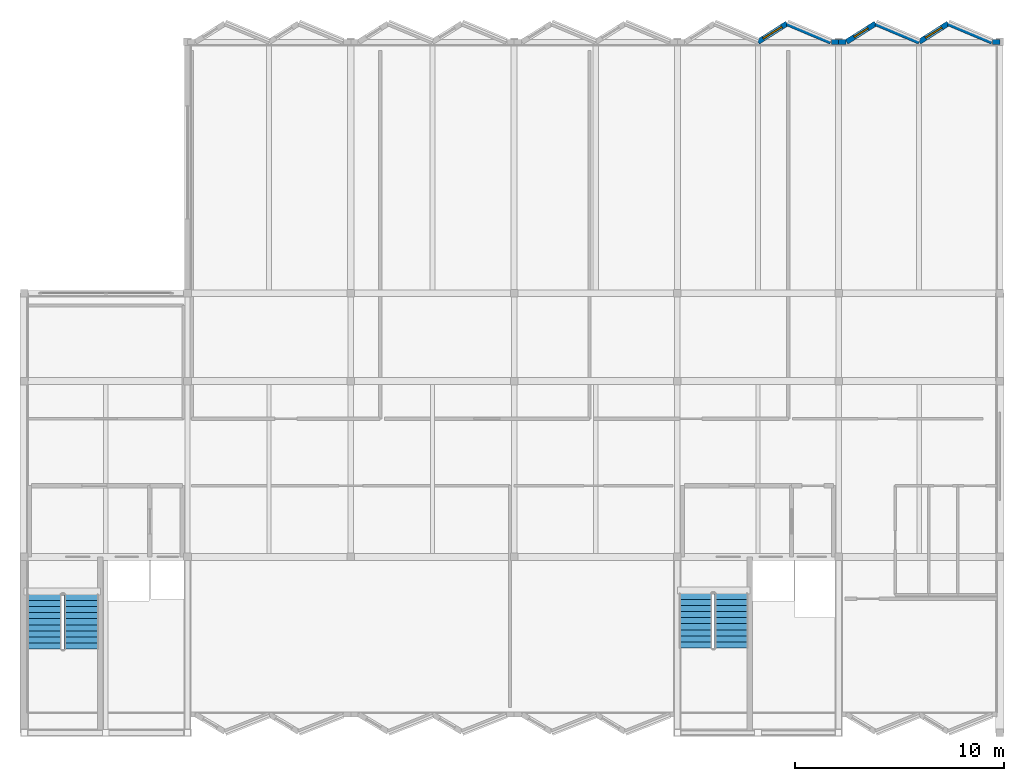
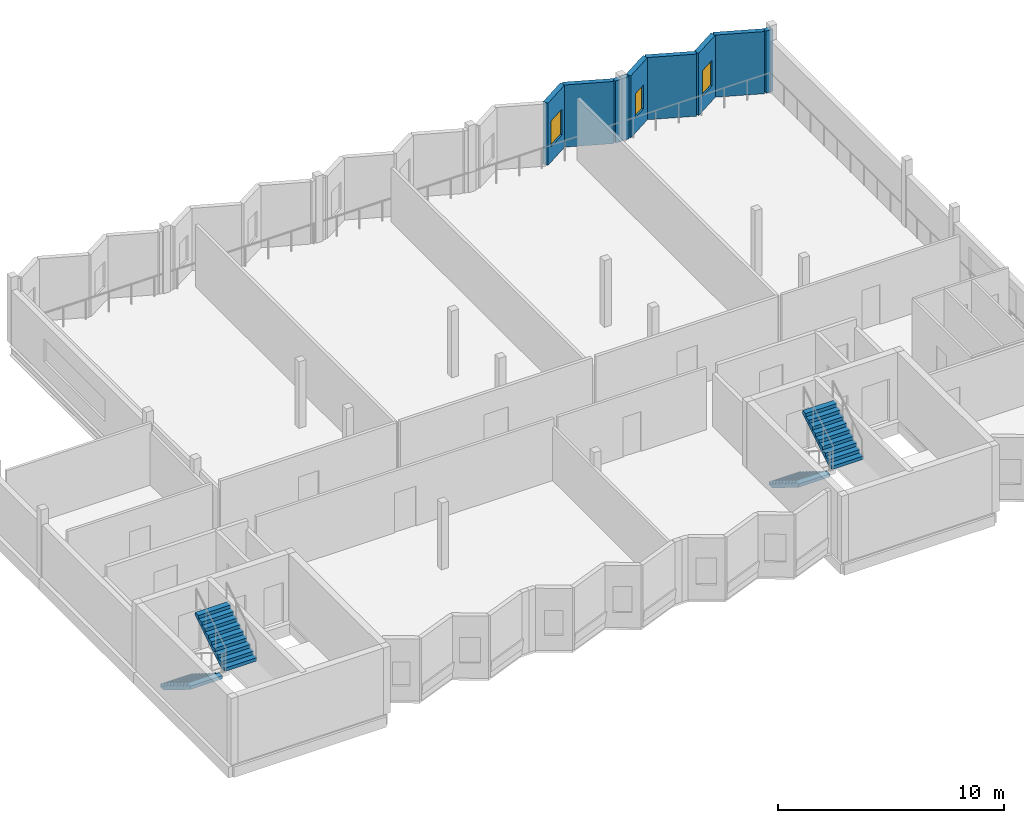
# One storey, part 7 of 11: 9 walls, 4 stair flights, 3 windows, 3 openings, 2 elements without a shape of their own.
"""IFC4 building model written with IfcOpenShell, lengths in metres."""

from ifc_helpers import new_model, si_unit, direction, frame, frame_2d, origin, place, context, subcontext, project, spatial, polyline, rectangle, outline, extrude, material, layer, layer_set, type_object, element, fill, aggregate, save


model = new_model("IFC4")

# Units and contexts
model_context = context("Model", 3, precision=1e-05, world=origin(), true_north=direction((0.0, 1.0)))
body_context = subcontext(model_context, "Body", "Model", "MODEL_VIEW")
ifc_project = project(units=[si_unit("LENGTHUNIT", "METRE"), si_unit("AREAUNIT", "SQUARE_METRE"), si_unit("VOLUMEUNIT", "CUBIC_METRE"), si_unit("PLANEANGLEUNIT", "RADIAN"), si_unit("MASSUNIT", "GRAM", prefix="KILO")], contexts=[model_context])

# Site, building, storey
site_placement = place(None, origin())
site = spatial("IfcSite", under=ifc_project, at=site_placement, CompositionType="ELEMENT")
building_placement = place(site_placement, origin())
building = spatial("IfcBuilding", under=site, at=building_placement, Name="Vharandega Faculty of Natural Sciences", CompositionType="ELEMENT")
storey_placement = place(building_placement, frame((0.0, 0.0, 39.60009765625)))
storey = spatial("IfcBuildingStorey", under=building, at=storey_placement, Name="L10", CompositionType="ELEMENT", Elevation=39.60009765625)

# Wall, opening, window
ifc_material_1 = material(Name="Precast concrete C40/50", Category="concrete")
ifc_layer_1 = layer(ifc_material_1, 0.25, Name="Precast concrete C40/50")
ifc_layer_set_1 = layer_set([ifc_layer_1], Name="Precast concrete C40/50")
wall_type_1 = type_object("IfcWallType", Name="Sawtooth Glazed-Face Precast Wall 250", PredefinedType="SOLIDWALL", material=ifc_layer_set_1)
wall_1_placement = place(storey_placement, frame((149.85009765625, 97.0, 0.0), z_axis=(0.0, 0.0, 1.0), x_axis=(0.844583954912, 0.535423143976, 0.0)))
wall_1 = element("IfcWall", 1, at=wall_1_placement, inside=storey, type_object=wall_type_1, Name="Exterior Wall EW-SAW-L10-N08G", PredefinedType="SOLIDWALL", context=body_context, shape_type="SweptSolid", body=[
    extrude(rectangle(XDim=1.643310546875, YDim=0.25, at=frame_2d((0.82177734375, 0.0))), origin(), (0.0, 0.0, 1.0), 3.35986328125),
])
opening_1_placement = place(wall_1_placement, frame((0.296630859375, 0.0, 0.820068359375)))
opening_1 = element("IfcOpeningElement", 2, at=opening_1_placement, cuts=wall_1, Name="Opening WN-06", PredefinedType="OPENING", context=body_context, shape_type="SweptSolid", body=[
    extrude(rectangle(XDim=1.050048828125, YDim=1.39990234375, at=frame_2d((0.52490234375, 0.699951171875))), frame((0.0, 0.135009765625, 0.0), z_axis=(0.0, -1.0, 0.0), x_axis=(1.0, 0.0, 0.0)), (0.0, 0.0, 1.0), 0.27001953125),
])
ifc_material_2 = material(Name="Double-glazed solar-control glass in thermally broken aluminium frame", Category="aluminium")
window_type_1 = type_object("IfcWindowType", Name="WIN-SAW-105x140", PartitioningType="SINGLE_PANEL", PredefinedType="WINDOW", material=ifc_material_2)
window_1_placement = place(opening_1_placement, origin())
window_1 = element("IfcWindow", 3, at=window_1_placement, inside=storey, type_object=window_type_1, Name="Window WIN-L10-0116", OverallHeight=1.39990234375, OverallWidth=1.050048828125, PartitioningType="SINGLE_PANEL", PredefinedType="WINDOW", context=body_context, shape_type="SweptSolid", body=[
    extrude(rectangle(XDim=1.050048828125, YDim=1.39990234375, at=frame_2d((0.52490234375, 0.699951171875))), frame((0.0, 0.030029296875, 0.0), z_axis=(0.0, -1.0, 0.0), x_axis=(1.0, 0.0, 0.0)), (0.0, 0.0, 1.0), 0.06005859375),
])
fill(opening_1, window_1)

wall_2_placement = place(storey_placement, frame((154.080078125, 97.0, 0.0), z_axis=(0.0, 0.0, 1.0), x_axis=(0.844583954912, 0.535423143976, 0.0)))
wall_2 = element("IfcWall", 4, at=wall_2_placement, inside=storey, type_object=wall_type_1, Name="Exterior Wall EW-SAW-L10-N09G", PredefinedType="SOLIDWALL", context=body_context, shape_type="SweptSolid", body=[
    extrude(rectangle(XDim=1.643310546875, YDim=0.25, at=frame_2d((0.82177734375, 0.0))), origin(), (0.0, 0.0, 1.0), 3.35986328125),
])
opening_2_placement = place(wall_2_placement, frame((0.431640625, 0.0, 0.820068359375)))
opening_2 = element("IfcOpeningElement", 5, at=opening_2_placement, cuts=wall_2, Name="Opening WN-06A", PredefinedType="OPENING", context=body_context, shape_type="SweptSolid", body=[
    extrude(rectangle(XDim=0.780029296875, YDim=1.300048828125, at=frame_2d((0.39013671875, 0.64990234375))), frame((0.0, 0.135009765625, 0.0), z_axis=(0.0, -1.0, 0.0), x_axis=(1.0, 0.0, 0.0)), (0.0, 0.0, 1.0), 0.27001953125),
])
ifc_material_3 = material(Name="Double-glazed solar-control glass in thermally broken aluminium frame", Category="aluminium")
window_type_2 = type_object("IfcWindowType", Name="WIN-SAW-078x130", PartitioningType="SINGLE_PANEL", PredefinedType="WINDOW", material=ifc_material_3)
window_2_placement = place(opening_2_placement, origin())
window_2 = element("IfcWindow", 6, at=window_2_placement, inside=storey, type_object=window_type_2, Name="Window WIN-L10-0117", OverallHeight=1.300048828125, OverallWidth=0.780029296875, PartitioningType="SINGLE_PANEL", PredefinedType="WINDOW", context=body_context, shape_type="SweptSolid", body=[
    extrude(rectangle(XDim=0.780029296875, YDim=1.300048828125, at=frame_2d((0.39013671875, 0.64990234375))), frame((0.0, 0.030029296875, 0.0), z_axis=(0.0, -1.0, 0.0), x_axis=(1.0, 0.0, 0.0)), (0.0, 0.0, 1.0), 0.06005859375),
])
fill(opening_2, window_2)

wall_3_placement = place(storey_placement, frame((157.550048828125, 97.0, 0.0), z_axis=(0.0, 0.0, 1.0), x_axis=(0.844583954912, 0.535423143976, 0.0)))
wall_3 = element("IfcWall", 7, at=wall_3_placement, inside=storey, type_object=wall_type_1, Name="Exterior Wall EW-SAW-L10-N10G", PredefinedType="SOLIDWALL", context=body_context, shape_type="SweptSolid", body=[
    extrude(rectangle(XDim=1.643310546875, YDim=0.25, at=frame_2d((0.82177734375, 0.0))), origin(), (0.0, 0.0, 1.0), 3.35986328125),
])
opening_3_placement = place(wall_3_placement, frame((0.36181640625, 0.0, 0.820068359375)))
opening_3 = element("IfcOpeningElement", 8, at=opening_3_placement, cuts=wall_3, Name="Opening WN-06B", PredefinedType="OPENING", context=body_context, shape_type="SweptSolid", body=[
    extrude(rectangle(XDim=0.919921875, YDim=1.3798828125, at=frame_2d((0.4599609375, 0.68994140625))), frame((0.0, 0.135009765625, 0.0), z_axis=(0.0, -1.0, 0.0), x_axis=(1.0, 0.0, 0.0)), (0.0, 0.0, 1.0), 0.27001953125),
])
ifc_material_4 = material(Name="Double-glazed solar-control glass in thermally broken aluminium frame", Category="aluminium")
window_type_3 = type_object("IfcWindowType", Name="WIN-SAW-092x138", PartitioningType="SINGLE_PANEL", PredefinedType="WINDOW", material=ifc_material_4)
window_3_placement = place(opening_3_placement, origin())
window_3 = element("IfcWindow", 9, at=window_3_placement, inside=storey, type_object=window_type_3, Name="Window WIN-L10-0118", OverallHeight=1.3798828125, OverallWidth=0.919921875, PartitioningType="SINGLE_PANEL", PredefinedType="WINDOW", context=body_context, shape_type="SweptSolid", body=[
    extrude(rectangle(XDim=0.919921875, YDim=1.3798828125, at=frame_2d((0.4599609375, 0.68994140625))), frame((0.0, 0.030029296875, 0.0), z_axis=(0.0, -1.0, 0.0), x_axis=(1.0, 0.0, 0.0)), (0.0, 0.0, 1.0), 0.06005859375),
])
fill(opening_3, window_3)

# Walls
ifc_material_5 = material(Name="Precast concrete C40/50", Category="concrete")
ifc_layer_2 = layer(ifc_material_5, 0.22998046875, Name="Precast concrete C40/50")
ifc_layer_set_2 = layer_set([ifc_layer_2], Name="Precast concrete C40/50")
wall_type_2 = type_object("IfcWallType", Name="Sawtooth Solid White Precast Wall 230", PredefinedType="SOLIDWALL", material=ifc_layer_set_2)
wall_4_placement = place(storey_placement, frame((153.35009765625, 97.0, 0.0), z_axis=(0.0, 0.0, 1.0), x_axis=(1.0, 0.0, 0.0)))
element("IfcWall", 10, at=wall_4_placement, inside=storey, type_object=wall_type_2, Name="Exterior Wall EW-SHL-L10-N20R", PredefinedType="SOLIDWALL", context=body_context, shape_type="SweptSolid", body=[
    extrude(rectangle(XDim=0.349853515625, YDim=0.22998046875, at=frame_2d((0.1748046875, 0.0))), origin(), (0.0, 0.0, 1.0), 3.35986328125),
])
wall_5_placement = place(storey_placement, frame((153.699951171875, 97.0, 0.0), z_axis=(0.0, 0.0, 1.0), x_axis=(1.0, 0.0, 0.0)))
element("IfcWall", 11, at=wall_5_placement, inside=storey, type_object=wall_type_2, Name="Exterior Wall EW-SHL-L10-N20L", PredefinedType="SOLIDWALL", context=body_context, shape_type="SweptSolid", body=[
    extrude(rectangle(XDim=0.35009765625, YDim=0.22998046875, at=frame_2d((0.175048828125, 0.0))), origin(), (0.0, 0.0, 1.0), 3.35986328125),
])
wall_6_placement = place(storey_placement, frame((161.050048828125, 97.0, 0.0), z_axis=(0.0, 0.0, 1.0), x_axis=(1.0, 0.0, 0.0)))
element("IfcWall", 12, at=wall_6_placement, inside=storey, type_object=wall_type_2, Name="Exterior Wall EW-SHL-L10-N21R", PredefinedType="SOLIDWALL", context=body_context, shape_type="SweptSolid", body=[
    extrude(rectangle(XDim=0.349853515625, YDim=0.22998046875, at=frame_2d((0.1748046875, 0.0))), origin(), (0.0, 0.0, 1.0), 3.35986328125),
])
for number, where, z_axis, x_axis, name in (
    (13, (151.238037109375, 97.8798828125, 0.0), (0.0, 0.0, 1.0), (0.921122216024, -0.389273506866, 0.0), "Exterior Wall EW-SAW-L10-N08S"),
    (14, (155.468017578125, 97.8798828125, 0.0), (0.0, 0.0, 1.0), (0.921122216024, -0.389273506866, 0.0), "Exterior Wall EW-SAW-L10-N09S"),
    (15, (158.93798828125, 97.8798828125, 0.0), (0.0, 0.0, 1.0), (0.921122216024, -0.389273506866, 0.0), "Exterior Wall EW-SAW-L10-N10S"),
):
    element("IfcWall", number, at=place(storey_placement, frame(where, z_axis=z_axis, x_axis=x_axis)), inside=storey, type_object=wall_type_2, Name=name, PredefinedType="SOLIDWALL", context=body_context, shape_type="SweptSolid", body=[
        extrude(rectangle(XDim=2.26025390625, YDim=0.22998046875, at=frame_2d((1.130126953125, 0.0))), origin(), (0.0, 0.0, 1.0), 3.35986328125),
    ])

# Stair, stair flights
ifc_material_6 = material(Name="Concrete C40/50", Category="concrete")
stair_type_1 = type_object("IfcStairType", Name="Escape Dog-Leg Stair W160 H360", PredefinedType="HALF_TURN_STAIR", material=ifc_material_6)
stair_1_placement = place(storey_placement, origin())
stair_1 = element("IfcStair", 16, at=stair_1_placement, inside=storey, type_object=stair_type_1, Name="L10 Escape Stair ST2", PredefinedType="HALF_TURN_STAIR")
ifc_material_7 = material(Name="Concrete C40/50", Category="concrete")
stair_flight_type_1 = type_object("IfcStairFlightType", Name="Precast Stair Flight W160 H360", PredefinedType="STRAIGHT", material=ifc_material_7)
stair_flight_1_placement = place(storey_placement, frame((146.860107421875, 70.659912109375, 0.0), z_axis=(0.0, 0.0, 1.0), x_axis=(0.0, -1.0, 0.0)))
stair_flight_1 = element("IfcStairFlight", 17, at=stair_flight_1_placement, type_object=stair_flight_type_1, Name="ST2 flight 1", NumberOfRisers=10, NumberOfTreads=9, PredefinedType="STRAIGHT", RiserHeight=0.18, TreadLength=0.29, context=body_context, shape_type="SweptSolid", body=[
    extrude(outline(polyline([(0.0, 0.0), (0.0, 0.179931640625), (0.2900390625, 0.179931640625), (0.2900390625, 0.360107421875), (0.580078125, 0.360107421875), (0.580078125, 0.5400390625), (0.8701171875, 0.5400390625), (0.8701171875, 0.719970703125), (1.159912109375, 0.719970703125), (1.159912109375, 0.89990234375), (1.449951171875, 0.89990234375), (1.449951171875, 1.080078125), (1.739990234375, 1.080078125), (1.739990234375, 1.260009765625), (2.030029296875, 1.260009765625), (2.030029296875, 1.43994140625), (2.320068359375, 1.43994140625), (2.320068359375, 1.6201171875), (2.610107421875, 1.6201171875), (2.610107421875, 1.800048828125), (2.610107421875, 1.443603515625), (0.2841796875, 0.0), (0.0, 0.0)])), frame((0.0, 0.800048828125, 0.0), z_axis=(0.0, -1.0, 0.0), x_axis=(1.0, 0.0, 0.0)), (0.0, 0.0, 1.0), 1.60009765625),
])
stair_flight_2_placement = place(storey_placement, frame((148.580078125, 68.050048828125, 1.7998046875), z_axis=(0.0, 0.0, 1.0), x_axis=(0.0, 1.0, 0.0)))
stair_flight_2 = element("IfcStairFlight", 18, at=stair_flight_2_placement, type_object=stair_flight_type_1, Name="ST2 flight 2", NumberOfRisers=10, NumberOfTreads=9, PredefinedType="STRAIGHT", RiserHeight=0.18, TreadLength=0.29, context=body_context, shape_type="SweptSolid", body=[
    extrude(outline(polyline([(0.0, 0.0), (0.0, 0.179931640625), (0.2900390625, 0.179931640625), (0.2900390625, 0.360107421875), (0.580078125, 0.360107421875), (0.580078125, 0.5400390625), (0.8701171875, 0.5400390625), (0.8701171875, 0.719970703125), (1.159912109375, 0.719970703125), (1.159912109375, 0.89990234375), (1.449951171875, 0.89990234375), (1.449951171875, 1.080078125), (1.739990234375, 1.080078125), (1.739990234375, 1.260009765625), (2.030029296875, 1.260009765625), (2.030029296875, 1.43994140625), (2.320068359375, 1.43994140625), (2.320068359375, 1.6201171875), (2.610107421875, 1.6201171875), (2.610107421875, 1.800048828125), (2.610107421875, 1.443603515625), (0.2841796875, 0.0), (0.0, 0.0)])), frame((0.0, 0.800048828125, 0.0), z_axis=(0.0, -1.0, 0.0), x_axis=(1.0, 0.0, 0.0)), (0.0, 0.0, 1.0), 1.60009765625),
])
aggregate(stair_1, [stair_flight_1, stair_flight_2])

ifc_material_8 = material(Name="Concrete C40/50", Category="concrete")
stair_type_2 = type_object("IfcStairType", Name="Escape Dog-Leg Stair W165 H360", PredefinedType="HALF_TURN_STAIR", material=ifc_material_8)
stair_2_placement = place(storey_placement, origin())
stair_2 = element("IfcStair", 19, at=stair_2_placement, inside=storey, type_object=stair_type_2, Name="L10 Escape Stair ST1", PredefinedType="HALF_TURN_STAIR")
ifc_material_9 = material(Name="Concrete C40/50", Category="concrete")
stair_flight_type_2 = type_object("IfcStairFlightType", Name="Precast Stair Flight W165 H360", PredefinedType="STRAIGHT", material=ifc_material_9)
stair_flight_3_placement = place(storey_placement, frame((115.764892578125, 70.610107421875, 0.0), z_axis=(0.0, 0.0, 1.0), x_axis=(0.0, -1.0, 0.0)))
stair_flight_3 = element("IfcStairFlight", 20, at=stair_flight_3_placement, type_object=stair_flight_type_2, Name="ST1 flight 1", NumberOfRisers=10, NumberOfTreads=9, PredefinedType="STRAIGHT", RiserHeight=0.18, TreadLength=0.29, context=body_context, shape_type="SweptSolid", body=[
    extrude(outline(polyline([(0.0, 0.0), (0.0, 0.179931640625), (0.2900390625, 0.179931640625), (0.2900390625, 0.360107421875), (0.580078125, 0.360107421875), (0.580078125, 0.5400390625), (0.8701171875, 0.5400390625), (0.8701171875, 0.719970703125), (1.159912109375, 0.719970703125), (1.159912109375, 0.89990234375), (1.449951171875, 0.89990234375), (1.449951171875, 1.080078125), (1.739990234375, 1.080078125), (1.739990234375, 1.260009765625), (2.030029296875, 1.260009765625), (2.030029296875, 1.43994140625), (2.320068359375, 1.43994140625), (2.320068359375, 1.6201171875), (2.610107421875, 1.6201171875), (2.610107421875, 1.800048828125), (2.610107421875, 1.443603515625), (0.2841796875, 0.0), (0.0, 0.0)])), frame((0.0, 0.824951171875, 0.0), z_axis=(0.0, -1.0, 0.0), x_axis=(1.0, 0.0, 0.0)), (0.0, 0.0, 1.0), 1.64990234375),
])
stair_flight_4_placement = place(storey_placement, frame((117.534912109375, 68.0, 1.7998046875), z_axis=(0.0, 0.0, 1.0), x_axis=(0.0, 1.0, 0.0)))
stair_flight_4 = element("IfcStairFlight", 21, at=stair_flight_4_placement, type_object=stair_flight_type_2, Name="ST1 flight 2", NumberOfRisers=10, NumberOfTreads=9, PredefinedType="STRAIGHT", RiserHeight=0.18, TreadLength=0.29, context=body_context, shape_type="SweptSolid", body=[
    extrude(outline(polyline([(0.0, 0.0), (0.0, 0.179931640625), (0.2900390625, 0.179931640625), (0.2900390625, 0.360107421875), (0.580078125, 0.360107421875), (0.580078125, 0.5400390625), (0.8701171875, 0.5400390625), (0.8701171875, 0.719970703125), (1.159912109375, 0.719970703125), (1.159912109375, 0.89990234375), (1.449951171875, 0.89990234375), (1.449951171875, 1.080078125), (1.739990234375, 1.080078125), (1.739990234375, 1.260009765625), (2.030029296875, 1.260009765625), (2.030029296875, 1.43994140625), (2.320068359375, 1.43994140625), (2.320068359375, 1.6201171875), (2.610107421875, 1.6201171875), (2.610107421875, 1.800048828125), (2.610107421875, 1.443603515625), (0.2841796875, 0.0), (0.0, 0.0)])), frame((0.0, 0.824951171875, 0.0), z_axis=(0.0, -1.0, 0.0), x_axis=(1.0, 0.0, 0.0)), (0.0, 0.0, 1.0), 1.64990234375),
])
aggregate(stair_2, [stair_flight_3, stair_flight_4])

save(model, "model.ifc")
